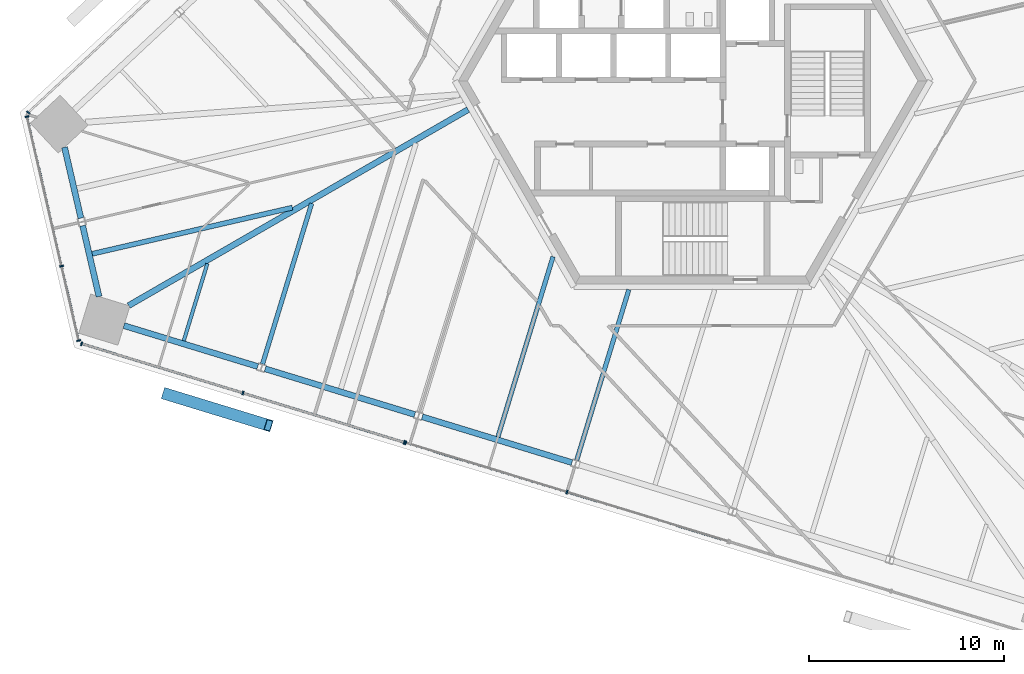
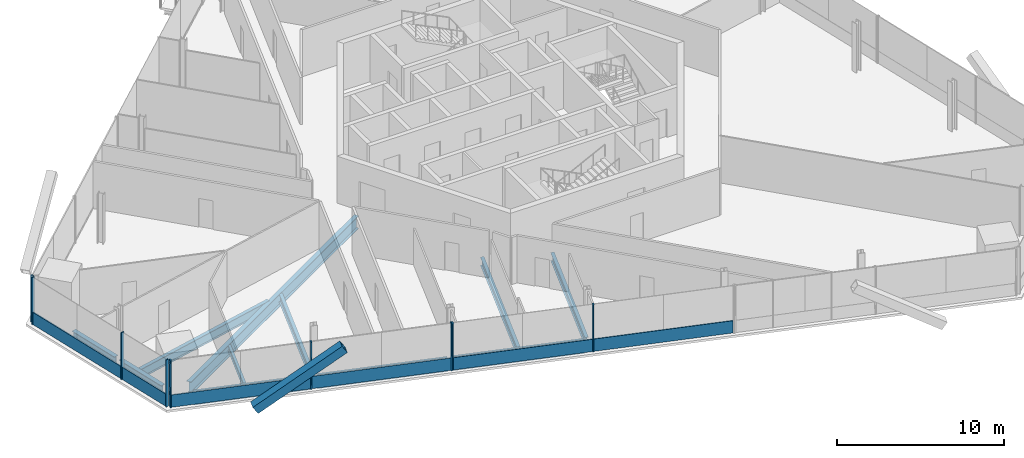
# One storey, part 4 of 18: 16 members, 11 beams, 4 elements without a shape of their own.
"""IFC4 building model written with IfcOpenShell, lengths in metres."""

import ifcopenshell
import ifcopenshell.guid

model = None  # the IFC model being written
_history = None  # IfcOwnerHistory: only IFC2X3 demands one
_inside = {}  # id of a spatial element -> (the spatial element, [elements in it])
_under = {}  # id of a project, library or spatial element -> (it, [spatial elements below it])
_declared = {}  # id of a project -> (the project, [libraries it declares])
_typed = {}  # id of a type object -> (the type object, [elements of that type])
_made_of = {}  # id of a material, layer set ... -> (it, [elements and type objects made of it])


def new_model(schema):
    """Start an empty IFC model of exactly this schema.

    Asked for "IFC4X3", IfcOpenShell would pick the latest addendum, in which some entities
    have other attributes; the version numbers below select the first issue.
    IFC2X3 requires an IfcOwnerHistory on every rooted entity: one is made here for all.
    """
    global model, _history
    if schema == "IFC4X3":
        model = ifcopenshell.file(schema_version=(4, 3, 0, 0))
    else:
        model = ifcopenshell.file(schema=schema)
    _inside.clear()
    _under.clear()
    _declared.clear()
    _typed.clear()
    _made_of.clear()
    _history = None
    if model.schema == "IFC2X3":
        org = make("IfcOrganization", Name="unknown")
        user = make(
            "IfcPersonAndOrganization",
            ThePerson=make("IfcPerson", FamilyName="unknown"),
            TheOrganization=org,
        )
        app = make(
            "IfcApplication",
            ApplicationDeveloper=org,
            Version="unknown",
            ApplicationFullName="unknown",
            ApplicationIdentifier="unknown",
        )
        _history = make(
            "IfcOwnerHistory",
            OwningUser=user,
            OwningApplication=app,
            ChangeAction="ADDED",
            CreationDate=0,
        )
    return model


def make(cls, **values):
    """One entity of the class cls with the attributes given. An attribute that is None is left unset."""
    return model.create_entity(
        cls, **{name: value for name, value in values.items() if value is not None}
    )


def rooted(cls, **values):
    """An entity with a GlobalId (a new one), such as an element, a storey or a relation."""
    return make(cls, GlobalId=ifcopenshell.guid.new(), OwnerHistory=_history, **values)


def si_unit(unit_type, name, prefix=None):
    """IfcSIUnit, for example si_unit("LENGTHUNIT", "METRE", prefix="MILLI")."""
    return make("IfcSIUnit", UnitType=unit_type, Prefix=prefix, Name=name)


def assignment(units):
    """IfcUnitAssignment: the units of a project."""
    return None if units is None else make("IfcUnitAssignment", Units=units)


def point(xyz):
    """IfcCartesianPoint."""
    return None if xyz is None else make("IfcCartesianPoint", Coordinates=xyz)


def direction(xyz):
    """IfcDirection."""
    return None if xyz is None else make("IfcDirection", DirectionRatios=xyz)


def frame(location, z_axis=None, x_axis=None):
    """IfcAxis2Placement3D, a coordinate frame: its origin and axes. An axis left out is left unset."""
    return make(
        "IfcAxis2Placement3D",
        Location=point(location),
        Axis=direction(z_axis),
        RefDirection=direction(x_axis),
    )


def frame_2d(location, x_axis=None):
    """IfcAxis2Placement2D, a coordinate frame in the plane: its origin and x axis."""
    return make(
        "IfcAxis2Placement2D", Location=point(location), RefDirection=direction(x_axis)
    )


def origin():
    """The frame at (0, 0, 0) with its axes left unset."""
    return frame((0.0, 0.0, 0.0))


def origin_2d():
    """The frame at (0, 0) in the plane with its x axis left unset."""
    return frame_2d((0.0, 0.0))


def place(relative_to, where):
    """IfcLocalPlacement: puts the frame where relative to a parent placement (None: the world)."""
    return make(
        "IfcLocalPlacement", PlacementRelTo=relative_to, RelativePlacement=where
    )


def context(
    kind, dimensions, precision=None, world=None, true_north=None, identifier=None
):
    """IfcGeometricRepresentationContext, for example the 3D "Model" context."""
    return make(
        "IfcGeometricRepresentationContext",
        ContextIdentifier=identifier,
        ContextType=kind,
        CoordinateSpaceDimension=dimensions,
        Precision=precision,
        WorldCoordinateSystem=world,
        TrueNorth=true_north,
    )


def subcontext(parent, identifier, kind, view, scale=None):
    """IfcGeometricRepresentationSubContext, for example "Body" below "Model"."""
    return make(
        "IfcGeometricRepresentationSubContext",
        ContextIdentifier=identifier,
        ContextType=kind,
        ParentContext=parent,
        TargetScale=scale,
        TargetView=view,
    )


def project(units=None, contexts=None):
    """IfcProject with its units and contexts."""
    return rooted(
        "IfcProject",
        Name="project",
        RepresentationContexts=contexts,
        UnitsInContext=assignment(units),
    )


def spatial(cls, under=None, at=None, **own):
    """A site, building, storey or space (cls), placed at a placement, below another one or the project."""
    s = rooted(cls, ObjectPlacement=at, **own)
    if under is not None:
        _under.setdefault(under.id(), (under, []))[1].append(s)
    return s


def profile(cls, at=None, kind="AREA", **sizes):
    """A parametric profile (cls). Its sizes go by their IFC names, for example OverallWidth=200.0."""
    return make(cls, ProfileType=kind, Position=at, **sizes)


def rectangle(**sizes):
    """IfcRectangleProfileDef."""
    return profile("IfcRectangleProfileDef", **sizes)


def hollow_rectangle(**sizes):
    """IfcRectangleHollowProfileDef."""
    return profile("IfcRectangleHollowProfileDef", **sizes)


def i_section(**sizes):
    """IfcIShapeProfileDef."""
    return profile("IfcIShapeProfileDef", **sizes)


def extrude(swept, where, along, depth):
    """IfcExtrudedAreaSolid: the profile swept, set in the frame where, extruded along a direction by depth."""
    return make(
        "IfcExtrudedAreaSolid",
        SweptArea=swept,
        Position=where,
        ExtrudedDirection=direction(along),
        Depth=depth,
    )


def shape(context_of_items, identifier, shape_type, items):
    """IfcShapeRepresentation: the items that make up one representation, for example the "Body"."""
    return make(
        "IfcShapeRepresentation",
        ContextOfItems=context_of_items,
        RepresentationIdentifier=identifier,
        RepresentationType=shape_type,
        Items=items,
    )


def source(mapping_origin, context_of_items, identifier, shape_type, items):
    """IfcRepresentationMap: a shape defined once, which mapped items show again and again."""
    return make(
        "IfcRepresentationMap",
        MappingOrigin=mapping_origin,
        MappedRepresentation=shape(context_of_items, identifier, shape_type, items),
    )


def transform(
    local_origin,
    x_axis=None,
    y_axis=None,
    z_axis=None,
    scale=None,
    scale2=None,
    scale3=None,
    uniform=True,
):
    """IfcCartesianTransformationOperator3D, or its non-uniform kind. x_axis, y_axis, z_axis: its Axis1, 2, 3."""
    if uniform:
        return make(
            "IfcCartesianTransformationOperator3D",
            Axis1=direction(x_axis),
            Axis2=direction(y_axis),
            LocalOrigin=point(local_origin),
            Scale=scale,
            Axis3=direction(z_axis),
        )
    return make(
        "IfcCartesianTransformationOperator3DnonUniform",
        Axis1=direction(x_axis),
        Axis2=direction(y_axis),
        LocalOrigin=point(local_origin),
        Scale=scale,
        Axis3=direction(z_axis),
        Scale2=scale2,
        Scale3=scale3,
    )


def mapped(mapping_source, mapping_target):
    """IfcMappedItem: shows the shape of a source again, moved by a transform."""
    return make(
        "IfcMappedItem", MappingSource=mapping_source, MappingTarget=mapping_target
    )


def material(Name=None, Category=None):
    """IfcMaterial."""
    return make("IfcMaterial", Name=Name, Category=Category)


def material_profile(
    of_material, cross_section, Name=None, Category=None, Priority=None
):
    """IfcMaterialProfile: a cross section and its material."""
    return make(
        "IfcMaterialProfile",
        Name=Name,
        Material=of_material,
        Profile=cross_section,
        Priority=Priority,
        Category=Category,
    )


def profile_set(profiles, Name=None, composite=None):
    """IfcMaterialProfileSet."""
    return make(
        "IfcMaterialProfileSet",
        Name=Name,
        MaterialProfiles=profiles,
        CompositeProfile=composite,
    )


def made_of(thing, what):
    """Note that an element or type object is made of a material, layer set ...; save() writes the relation."""
    if what is not None:
        _made_of.setdefault(what.id(), (what, []))[1].append(thing)
    return thing


def type_object(cls, material=None, **own):
    """A type object (cls), such as IfcWallType, which elements share."""
    return made_of(rooted(cls, **own), material)


def element(
    cls,
    number,
    at=None,
    inside=None,
    cuts=None,
    type_object=None,
    material=None,
    context=None,
    identifier="Body",
    shape_type=None,
    held_by="IfcProductDefinitionShape",
    body=None,
    shapes=None,
    **own,
):
    """One element of the class cls, such as IfcWall. Its Tag is "e" and its number.

    at: its placement. inside: the storey or other place that contains it. cuts: it is an
    opening in that element (IfcRelVoidsElement). A single representation is given by context,
    identifier, shape_type and body (its items); several are given by shapes. held_by: the class
    of the entity that holds the representations. save() writes the other relations.
    """
    e = rooted(cls, Tag="e%d" % number, ObjectPlacement=at, **own)
    if body is not None:
        shapes = [shape(context, identifier, shape_type, body)]
    if shapes is not None:
        e.Representation = make(held_by, Representations=shapes)
    if inside is not None:
        _inside.setdefault(inside.id(), (inside, []))[1].append(e)
    if cuts is not None:
        rooted(
            "IfcRelVoidsElement", RelatingBuildingElement=cuts, RelatedOpeningElement=e
        )
    if type_object is not None:
        _typed.setdefault(type_object.id(), (type_object, []))[1].append(e)
    return made_of(e, material)


def aggregate(whole, parts):
    """IfcRelAggregates: a whole, such as a stair, and the parts it consists of."""
    return rooted("IfcRelAggregates", RelatingObject=whole, RelatedObjects=parts)


def save(model, path):
    """Write the relations noted so far, then the file.

    IfcRelAggregates (storeys below a building ...), IfcRelContainedInSpatialStructure (elements
    in a storey), IfcRelDefinesByType, IfcRelAssociatesMaterial and IfcRelDeclares: one each for
    every whole, place, type object, material and project.
    """
    for whole, parts in _under.values():
        aggregate(whole, parts)
    for where, things in _inside.values():
        rooted(
            "IfcRelContainedInSpatialStructure",
            RelatedElements=things,
            RelatingStructure=where,
        )
    for kind, things in _typed.values():
        rooted("IfcRelDefinesByType", RelatedObjects=things, RelatingType=kind)
    for what, things in _made_of.values():
        rooted("IfcRelAssociatesMaterial", RelatedObjects=things, RelatingMaterial=what)
    for by, libraries in _declared.values():
        rooted("IfcRelDeclares", RelatingContext=by, RelatedDefinitions=libraries)
    model.write(path)


model = new_model("IFC4")

# Units and contexts
model_context = context("Model", 3, precision=1e-05, world=origin(), true_north=direction((0.0, 1.0)))
body_context = subcontext(model_context, "Body", "Model", "MODEL_VIEW")
ifc_project = project(units=[si_unit("LENGTHUNIT", "METRE"), si_unit("AREAUNIT", "SQUARE_METRE"), si_unit("VOLUMEUNIT", "CUBIC_METRE"), si_unit("PLANEANGLEUNIT", "RADIAN"), si_unit("MASSUNIT", "GRAM", prefix="KILO")], contexts=[model_context])

# Site, building, storey
site_placement = place(None, origin())
site = spatial("IfcSite", under=ifc_project, at=site_placement, CompositionType="ELEMENT")
building_placement = place(site_placement, origin())
building = spatial("IfcBuilding", under=site, at=building_placement, Name="Triune Harvest Tower", CompositionType="ELEMENT")
storey_placement = place(building_placement, frame((0.0, 0.0, 101.89990234375)))
storey = spatial("IfcBuildingStorey", under=building, at=storey_placement, Name="L25", CompositionType="ELEMENT", Elevation=101.89990234375)

# Beams
ifc_material_1 = material(Name="Steel ASTM A992 Gr 50", Category="steel")
ifc_material_profile_1 = material_profile(ifc_material_1, i_section(OverallWidth=0.3046875, OverallDepth=0.914306640625, WebThickness=0.0166015625, FlangeThickness=0.02587890625, at=origin_2d()), Name="W36x160")
ifc_profile_set_1 = profile_set([ifc_material_profile_1], Name="Steel ASTM A992 Gr 50")
beam_type_1 = type_object("IfcBeamType", Name="SB-1 Spandrel beam W36x160", PredefinedType="SPANDREL", material=ifc_profile_set_1)
shared_shape_1 = source(origin(), body_context, "Body", "SweptSolid", [
    extrude(i_section(OverallWidth=0.3046875, OverallDepth=0.914306640625, WebThickness=0.0166015625, FlangeThickness=0.02587890625, at=origin_2d()), origin(), (0.0, 0.0, 1.0), 8.018310546875),
])
beam_1_placement = place(storey_placement, frame((-21.8994140625, -14.747314453125, -0.6171875), z_axis=(0.956308069579, -0.292360866152, 0.0), x_axis=(0.292360866152, 0.956308069579, 0.0)))
element("IfcBeam", 1, at=beam_1_placement, inside=storey, type_object=beam_type_1, Name="beam/L25/SB18", PredefinedType="SPANDREL", context=body_context, shape_type="MappedRepresentation", body=[
    mapped(shared_shape_1, transform((0.0, 0.0, 0.0), scale=1.0)),
])
shared_shape_2 = source(origin(), body_context, "Body", "SweptSolid", [
    extrude(i_section(OverallWidth=0.3046875, OverallDepth=0.914306640625, WebThickness=0.0166015625, FlangeThickness=0.02587890625, at=origin_2d()), origin(), (0.0, 0.0, 1.0), 8.01806640625),
])
beam_2_placement = place(storey_placement, frame((-13.8525390625, -17.207275390625, -0.6171875), z_axis=(0.956305466934, -0.292369379231, 0.0), x_axis=(0.292369379231, 0.956305466934, 0.0)))
element("IfcBeam", 2, at=beam_2_placement, inside=storey, type_object=beam_type_1, Name="beam/L25/SB19", PredefinedType="SPANDREL", context=body_context, shape_type="MappedRepresentation", body=[
    mapped(shared_shape_2, transform((0.0, 0.0, 0.0), scale=1.0)),
])
shared_shape_3 = source(origin(), body_context, "Body", "SweptSolid", [
    extrude(i_section(OverallWidth=0.3046875, OverallDepth=0.914306640625, WebThickness=0.0166015625, FlangeThickness=0.02587890625, at=origin_2d()), origin(), (0.0, 0.0, 1.0), 7.16650390625),
])
beam_3_placement = place(storey_placement, frame((-29.131591796875, -12.5361328125, -0.6171875), z_axis=(0.956306336732, -0.292366534211, 0.0), x_axis=(0.292366534211, 0.956306336732, 0.0)))
element("IfcBeam", 3, at=beam_3_placement, inside=storey, type_object=beam_type_1, Name="beam/L25/SB17", PredefinedType="SPANDREL", context=body_context, shape_type="MappedRepresentation", body=[
    mapped(shared_shape_3, transform((0.0, 0.0, 0.0), scale=1.0)),
])
shared_shape_4 = source(origin(), body_context, "Body", "SweptSolid", [
    extrude(i_section(OverallWidth=0.3046875, OverallDepth=0.914306640625, WebThickness=0.0166015625, FlangeThickness=0.02587890625, at=origin_2d()), origin(), (0.0, 0.0, 1.0), 3.72607421875),
])
for number, where, z_axis, x_axis, name in (
    (4, (-32.173828125, -3.400390625, -0.6171875), (0.224936070713, -0.974373523908, 0.0), (0.974373523908, 0.224936070713, 0.0), "beam/L25/SB15"),
    (5, (-31.24658203125, -7.4169921875, -0.6171875), (0.224998275907, -0.974359161623, 0.0), (0.974359161623, 0.224998275907, 0.0), "beam/L25/SB16"),
):
    element("IfcBeam", number, at=place(storey_placement, frame(where, z_axis=z_axis, x_axis=x_axis)), inside=storey, type_object=beam_type_1, Name=name, PredefinedType="SPANDREL", context=body_context, shape_type="MappedRepresentation", body=[
        mapped(shared_shape_4, transform((0.0, 0.0, 0.0), scale=1.0)),
    ])
ifc_material_2 = material(Name="Steel ASTM A992 Gr 50", Category="steel")
ifc_material_profile_2 = material_profile(ifc_material_2, i_section(OverallWidth=0.307373046875, OverallDepth=0.922119140625, WebThickness=0.018310546875, FlangeThickness=0.030029296875, at=origin_2d()), Name="W36x182")
ifc_profile_set_2 = profile_set([ifc_material_profile_2], Name="Steel ASTM A992 Gr 50")
beam_type_2 = type_object("IfcBeamType", Name="HG-2 Hip girder W36x182", PredefinedType="BEAM", material=ifc_profile_set_2)
shared_shape_5 = source(origin(), body_context, "Body", "SweptSolid", [
    extrude(i_section(OverallWidth=0.307373046875, OverallDepth=0.922119140625, WebThickness=0.018310546875, FlangeThickness=0.030029296875, at=origin_2d()), origin(), (0.0, 0.0, 1.0), 20.080078125),
])
beam_4_placement = place(storey_placement, frame((-28.892333984375, -11.51123046875, -0.620849609375), z_axis=(0.866025837197, 0.499999249307, 0.0), x_axis=(-0.499999249307, 0.866025837197, 0.0)))
element("IfcBeam", 6, at=beam_4_placement, inside=storey, type_object=beam_type_2, Name="beam/L25/HG6", PredefinedType="BEAM", context=body_context, shape_type="MappedRepresentation", body=[
    mapped(shared_shape_5, transform((0.0, 0.0, 0.0), scale=1.0)),
])
ifc_material_3 = material(Name="Steel ASTM A992 Gr 50", Category="steel")
ifc_material_profile_3 = material_profile(ifc_material_3, i_section(OverallWidth=0.22900390625, OverallDepth=0.612060546875, WebThickness=0.011962890625, FlangeThickness=0.01953125, at=origin_2d()), Name="W24x84")
ifc_profile_set_3 = profile_set([ifc_material_profile_3], Name="Steel ASTM A992 Gr 50")
beam_type_3 = type_object("IfcBeamType", Name="JT-3 Floor joist W24x84", PredefinedType="JOIST", material=ifc_profile_set_3)
shared_shape_6 = source(origin(), body_context, "Body", "SweptSolid", [
    extrude(i_section(OverallWidth=0.22900390625, OverallDepth=0.612060546875, WebThickness=0.011962890625, FlangeThickness=0.01953125, at=origin_2d()), origin(), (0.0, 0.0, 1.0), 9.129150390625),
])
beam_5_placement = place(storey_placement, frame((-5.939453125, -19.42724609375, -0.466064453125), z_axis=(0.292356457167, 0.956309417476, 0.0), x_axis=(-0.956309417476, 0.292356457167, 0.0)))
element("IfcBeam", 7, at=beam_5_placement, inside=storey, type_object=beam_type_3, Name="beam/L25/JT32", PredefinedType="JOIST", context=body_context, shape_type="MappedRepresentation", body=[
    mapped(shared_shape_6, transform((0.0, 0.0, 0.0), scale=1.0)),
])
ifc_material_4 = material(Name="Steel ASTM A992 Gr 50", Category="steel")
ifc_material_profile_4 = material_profile(ifc_material_4, i_section(OverallWidth=0.180908203125, OverallDepth=0.41650390625, WebThickness=0.010986328125, FlangeThickness=0.01806640625, at=origin_2d()), Name="W16x57")
ifc_profile_set_4 = profile_set([ifc_material_profile_4], Name="Steel ASTM A992 Gr 50")
beam_type_4 = type_object("IfcBeamType", Name="JT-1 Floor joist W16x57", PredefinedType="JOIST", material=ifc_profile_set_4)
shared_shape_7 = source(origin(), body_context, "Body", "SweptSolid", [
    extrude(i_section(OverallWidth=0.180908203125, OverallDepth=0.41650390625, WebThickness=0.010986328125, FlangeThickness=0.01806640625, at=origin_2d()), origin(), (0.0, 0.0, 1.0), 4.134033203125),
])
beam_6_placement = place(storey_placement, frame((-26.067626953125, -13.3134765625, -0.3681640625), z_axis=(0.29238807321, 0.956299751461, 0.0), x_axis=(-0.956299751461, 0.29238807321, 0.0)))
element("IfcBeam", 8, at=beam_6_placement, inside=storey, type_object=beam_type_4, Name="beam/L25/JT27", PredefinedType="JOIST", context=body_context, shape_type="MappedRepresentation", body=[
    mapped(shared_shape_7, transform((0.0, 0.0, 0.0), scale=1.0)),
])
shared_shape_8 = source(origin(), body_context, "Body", "SweptSolid", [
    extrude(i_section(OverallWidth=0.22900390625, OverallDepth=0.612060546875, WebThickness=0.011962890625, FlangeThickness=0.01953125, at=origin_2d()), origin(), (0.0, 0.0, 1.0), 8.607666015625),
])
beam_7_placement = place(storey_placement, frame((-22.033203125, -14.507080078125, -0.466064453125), z_axis=(0.29237129862, 0.956304880121, 0.0), x_axis=(-0.956304880121, 0.29237129862, 0.0)))
element("IfcBeam", 9, at=beam_7_placement, inside=storey, type_object=beam_type_3, Name="beam/L25/JT28", PredefinedType="JOIST", context=body_context, shape_type="MappedRepresentation", body=[
    mapped(shared_shape_8, transform((0.0, 0.0, 0.0), scale=1.0)),
])
shared_shape_9 = source(origin(), body_context, "Body", "SweptSolid", [
    extrude(i_section(OverallWidth=0.22900390625, OverallDepth=0.612060546875, WebThickness=0.011962890625, FlangeThickness=0.01953125, at=origin_2d()), origin(), (0.0, 0.0, 1.0), 9.64990234375),
])
beam_8_placement = place(storey_placement, frame((-9.97412109375, -18.233642578125, -0.466064453125), z_axis=(0.292387575984, 0.956299903488, 0.0), x_axis=(-0.956299903488, 0.292387575984, 0.0)))
element("IfcBeam", 10, at=beam_8_placement, inside=storey, type_object=beam_type_3, Name="beam/L25/JT31", PredefinedType="JOIST", context=body_context, shape_type="MappedRepresentation", body=[
    mapped(shared_shape_9, transform((0.0, 0.0, 0.0), scale=1.0)),
])
ifc_material_5 = material(Name="Steel ASTM A992 Gr 50", Category="steel")
ifc_material_profile_5 = material_profile(ifc_material_5, i_section(OverallWidth=0.253662109375, OverallDepth=0.683349609375, WebThickness=0.012451171875, FlangeThickness=0.01904296875, at=origin_2d()), Name="W27x94")
ifc_profile_set_5 = profile_set([ifc_material_profile_5], Name="Steel ASTM A992 Gr 50")
beam_type_5 = type_object("IfcBeamType", Name="JT-4 Floor joist W27x94", PredefinedType="JOIST", material=ifc_profile_set_5)
shared_shape_10 = source(origin(), body_context, "Body", "SweptSolid", [
    extrude(i_section(OverallWidth=0.253662109375, OverallDepth=0.683349609375, WebThickness=0.012451171875, FlangeThickness=0.01904296875, at=origin_2d()), origin(), (0.0, 0.0, 1.0), 10.52294921875),
])
beam_9_placement = place(storey_placement, frame((-30.75732421875, -8.858154296875, -0.50146484375), z_axis=(0.974368902387, 0.224956089186, 0.0), x_axis=(-0.224956089186, 0.974368902387, 0.0)))
element("IfcBeam", 11, at=beam_9_placement, inside=storey, type_object=beam_type_5, Name="beam/L25/JT26", PredefinedType="JOIST", context=body_context, shape_type="MappedRepresentation", body=[
    mapped(shared_shape_10, transform((0.0, 0.0, 0.0), scale=1.0)),
])

# Member
ifc_material_6 = material(Name="Steel ASTM A572 Gr 50", Category="steel")
ifc_material_profile_6 = material_profile(ifc_material_6, hollow_rectangle(XDim=0.60009765625, YDim=0.60009765625, WallThickness=0.0400390625, at=origin_2d()), Name="Box 600x600x40")
ifc_profile_set_6 = profile_set([ifc_material_profile_6], Name="Steel ASTM A572 Gr 50")
member_type_1 = type_object("IfcMemberType", Name="BR-2 Brace Box 600x600x40", PredefinedType="BRACE", material=ifc_profile_set_6)
shared_shape_11 = source(origin(), body_context, "Body", "SweptSolid", [
    extrude(hollow_rectangle(XDim=0.60009765625, YDim=0.60009765625, WallThickness=0.0400390625, at=origin_2d()), origin(), (0.0, 0.0, 1.0), 6.56640625),
])
member_1_placement = place(storey_placement, frame((-26.97705078125, -16.03759765625, 0.0), z_axis=(0.799754510261, -0.24453674635, 0.548264993413), x_axis=(0.292401508485, 0.956295643531, 0.0)))
element("IfcMember", 12, at=member_1_placement, inside=storey, type_object=member_type_1, Name="brace/B3-F5/d1/2", PredefinedType="BRACE", context=body_context, shape_type="MappedRepresentation", body=[
    mapped(shared_shape_11, transform((0.0, 0.0, 0.0), scale=1.0)),
])

# Curtain wall, members
ifc_material_7 = material(Name="Aluminium bronze anodised", Category="aluminium")
curtain_wall_type_1 = type_object("IfcCurtainWallType", Name="CW-1 Tower stick curtain wall", PredefinedType="NOTDEFINED", material=ifc_material_7)
curtain_wall_1_placement = place(storey_placement, origin())
curtain_wall_1 = element("IfcCurtainWall", 13, at=curtain_wall_1_placement, inside=storey, type_object=curtain_wall_type_1, Name="CW-1 B3-F4 L25 run 1")
ifc_material_8 = material(Name="Aluminium bronze anodised", Category="aluminium")
ifc_material_profile_7 = material_profile(ifc_material_8, rectangle(XDim=0.199951171875, YDim=0.074951171875, at=origin_2d()), Name="MU-1 mullion 75 x 200")
ifc_profile_set_7 = profile_set([ifc_material_profile_7], Name="Aluminium bronze anodised")
member_type_2 = type_object("IfcMemberType", Name="MU-1 mullion 75 x 200", PredefinedType="MULLION", material=ifc_profile_set_7)
shared_shape_12 = source(origin(), body_context, "Body", "SweptSolid", [
    extrude(rectangle(XDim=0.199951171875, YDim=0.074951171875, at=origin_2d()), origin(), (0.0, 0.0, 1.0), 3.440185546875),
])
member_2_placement = place(storey_placement, frame((-34.0947265625, -1.83056640625, 0.0), z_axis=(0.0, 0.0, 1.0), x_axis=(0.974371012181, 0.224946950683, 0.0)))
member_2 = element("IfcMember", 14, at=member_2_placement, type_object=member_type_2, Name="CW-1 mullion B3-F4 1.1", PredefinedType="MULLION", context=body_context, shape_type="MappedRepresentation", body=[
    mapped(shared_shape_12, transform((0.0, 0.0, 0.0), scale=1.0)),
])
member_3_placement = place(storey_placement, frame((-32.32666015625, -9.489501953125, 0.0), z_axis=(0.0, 0.0, 1.0), x_axis=(0.974371012181, 0.224946950683, 0.0)))
member_3 = element("IfcMember", 15, at=member_3_placement, type_object=member_type_2, Name="CW-1 mullion B3-F4 1.3", PredefinedType="MULLION", context=body_context, shape_type="MappedRepresentation", body=[
    mapped(shared_shape_12, transform((0.0, 0.0, 0.0), scale=1.0)),
])
member_4_placement = place(storey_placement, frame((-31.44677734375, -13.30078125, 0.0), z_axis=(0.0, 0.0, 1.0), x_axis=(0.974371012181, 0.224946950683, 0.0)))
member_4 = element("IfcMember", 16, at=member_4_placement, type_object=member_type_2, Name="CW-1 mullion B3-F4 1.4", PredefinedType="MULLION", context=body_context, shape_type="MappedRepresentation", body=[
    mapped(shared_shape_12, transform((0.0, 0.0, 0.0), scale=1.0)),
])

ifc_material_9 = material(Name="Aluminium bronze anodised", Category="aluminium")
curtain_wall_type_2 = type_object("IfcCurtainWallType", Name="CW-7 Tower stick curtain wall with insulated spandrel infill", PredefinedType="NOTDEFINED", material=ifc_material_9)
curtain_wall_2_placement = place(storey_placement, origin())
curtain_wall_2 = element("IfcCurtainWall", 17, at=curtain_wall_2_placement, inside=storey, type_object=curtain_wall_type_2, Name="CW-7 B3-F5 L25 run 1")
member_5_placement = place(storey_placement, frame((-31.296142578125, -13.462158203125, 0.0), z_axis=(0.0, 0.0, 1.0), x_axis=(0.292372474863, 0.956304520507, 0.0)))
member_5 = element("IfcMember", 18, at=member_5_placement, type_object=member_type_2, Name="CW-7 mullion B3-F5 1.1", PredefinedType="MULLION", context=body_context, shape_type="MappedRepresentation", body=[
    mapped(shared_shape_12, transform((0.0, 0.0, 0.0), scale=1.0)),
])
member_6_placement = place(storey_placement, frame((-23.034423828125, -15.988037109375, 0.0), z_axis=(0.0, 0.0, 1.0), x_axis=(0.292372474863, 0.956304520507, 0.0)))
member_6 = element("IfcMember", 19, at=member_6_placement, type_object=member_type_2, Name="CW-7 mullion B3-F5 1.3", PredefinedType="MULLION", context=body_context, shape_type="MappedRepresentation", body=[
    mapped(shared_shape_12, transform((0.0, 0.0, 0.0), scale=1.0)),
])
member_7_placement = place(storey_placement, frame((-14.772705078125, -18.513916015625, 0.0), z_axis=(0.0, 0.0, 1.0), x_axis=(0.292372474863, 0.956304520507, 0.0)))
member_7 = element("IfcMember", 20, at=member_7_placement, type_object=member_type_2, Name="CW-7 mullion B3-F5 1.5", PredefinedType="MULLION", context=body_context, shape_type="MappedRepresentation", body=[
    mapped(shared_shape_12, transform((0.0, 0.0, 0.0), scale=1.0)),
])

curtain_wall_3_placement = place(storey_placement, origin())
curtain_wall_3 = element("IfcCurtainWall", 21, at=curtain_wall_3_placement, inside=storey, type_object=curtain_wall_type_1, Name="CW-1 B3-F5 L25 run 1001")
member_8_placement = place(storey_placement, frame((-14.700927734375, -18.535888671875, 0.0), z_axis=(0.0, 0.0, 1.0), x_axis=(0.292375328782, 0.956303647969, 0.0)))
member_8 = element("IfcMember", 22, at=member_8_placement, type_object=member_type_2, Name="CW-1 mullion B3-F5 1001.1", PredefinedType="MULLION", context=body_context, shape_type="MappedRepresentation", body=[
    mapped(shared_shape_12, transform((0.0, 0.0, 0.0), scale=1.0)),
])
member_9_placement = place(storey_placement, frame((-6.439208984375, -21.061767578125, 0.0), z_axis=(0.0, 0.0, 1.0), x_axis=(0.292375328782, 0.956303647969, 0.0)))
member_9 = element("IfcMember", 23, at=member_9_placement, type_object=member_type_2, Name="CW-1 mullion B3-F5 1001.3", PredefinedType="MULLION", context=body_context, shape_type="MappedRepresentation", body=[
    mapped(shared_shape_12, transform((0.0, 0.0, 0.0), scale=1.0)),
])

# Curtain wall, member
ifc_material_10 = material(Name="Aluminium bronze anodised", Category="aluminium")
curtain_wall_type_3 = type_object("IfcCurtainWallType", Name="CW-10 Balcony window wall with insulated spandrel infill", PredefinedType="NOTDEFINED", material=ifc_material_10)
curtain_wall_4_placement = place(storey_placement, origin())
curtain_wall_4 = element("IfcCurtainWall", 24, at=curtain_wall_4_placement, inside=storey, type_object=curtain_wall_type_3, Name="CW-10 B3-F3 L25 run 1002")
ifc_material_11 = material(Name="Aluminium bronze anodised", Category="aluminium")
ifc_material_profile_8 = material_profile(ifc_material_11, rectangle(XDim=0.199951171875, YDim=0.074951171875, at=origin_2d()), Name="MU-6 mullion 75 x 200")
ifc_profile_set_8 = profile_set([ifc_material_profile_8], Name="Aluminium bronze anodised")
member_type_3 = type_object("IfcMemberType", Name="MU-6 mullion 75 x 200", PredefinedType="MULLION", material=ifc_profile_set_8)
shared_shape_13 = source(origin(), body_context, "Body", "SweptSolid", [
    extrude(rectangle(XDim=0.199951171875, YDim=0.074951171875, at=origin_2d()), origin(), (0.0, 0.0, 1.0), 3.440185546875),
])
member_10_placement = place(storey_placement, frame((-34.0302734375, -1.619384765625, 0.0), z_axis=(0.0, 0.0, 1.0), x_axis=(0.681997361186, -0.731354633085, 0.0)))
member_10 = element("IfcMember", 25, at=member_10_placement, type_object=member_type_3, Name="CW-10 mullion B3-F3 1002.5", PredefinedType="MULLION", context=body_context, shape_type="MappedRepresentation", body=[
    mapped(shared_shape_13, transform((0.0, 0.0, 0.0), scale=1.0)),
])
aggregate(curtain_wall_4, [member_10])

# Member
ifc_material_12 = material(Name="Aluminium bronze anodised", Category="aluminium")
ifc_material_profile_9 = material_profile(ifc_material_12, rectangle(XDim=0.090087890625, YDim=0.89990234375, at=origin_2d()), Name="TR-1 transom 90 x 900")
ifc_profile_set_9 = profile_set([ifc_material_profile_9], Name="Aluminium bronze anodised")
member_type_4 = type_object("IfcMemberType", Name="TR-1 transom 90 x 900", PredefinedType="USERDEFINED", material=ifc_profile_set_9)
shared_shape_14 = source(origin(), body_context, "Body", "SweptSolid", [
    extrude(rectangle(XDim=0.090087890625, YDim=0.89990234375, at=origin_2d()), origin(), (0.0, 0.0, 1.0), 3.83642578125),
])
member_11_placement = place(storey_placement, frame((-32.318115234375, -9.526123046875, 0.4501953125), z_axis=(0.224901336827, -0.974381541642, 0.0), x_axis=(0.974381541642, 0.224901336827, 0.0)))
member_11 = element("IfcMember", 26, at=member_11_placement, type_object=member_type_4, Name="CW-1 transom B3-F4 1.2", ObjectType="TRANSOM", PredefinedType="USERDEFINED", context=body_context, shape_type="MappedRepresentation", body=[
    mapped(shared_shape_14, transform((0.0, 0.0, 0.0), scale=1.0)),
])

shared_shape_15 = source(origin(), body_context, "Body", "SweptSolid", [
    extrude(rectangle(XDim=0.090087890625, YDim=0.89990234375, at=origin_2d()), origin(), (0.0, 0.0, 1.0), 7.785400390625),
])
member_12_placement = place(storey_placement, frame((-34.08642578125, -1.8671875, 0.4501953125), z_axis=(0.22493508372, -0.974373751756, 0.0), x_axis=(0.974373751756, 0.22493508372, 0.0)))
member_12 = element("IfcMember", 27, at=member_12_placement, type_object=member_type_4, Name="CW-1 transom B3-F4 1.1", ObjectType="TRANSOM", PredefinedType="USERDEFINED", context=body_context, shape_type="MappedRepresentation", body=[
    mapped(shared_shape_15, transform((0.0, 0.0, 0.0), scale=1.0)),
])

aggregate(curtain_wall_1, [member_2, member_3, member_4, member_12, member_11])

shared_shape_16 = source(origin(), body_context, "Body", "SweptSolid", [
    extrude(rectangle(XDim=0.090087890625, YDim=0.89990234375, at=origin_2d()), origin(), (0.0, 0.0, 1.0), 8.564208984375),
])
member_13_placement = place(storey_placement, frame((-31.26025390625, -13.47314453125, 0.4501953125), z_axis=(0.956297115468, -0.29239669449, 0.0), x_axis=(0.29239669449, 0.956297115468, 0.0)))
member_13 = element("IfcMember", 28, at=member_13_placement, type_object=member_type_4, Name="CW-7 transom B3-F5 1.1", ObjectType="TRANSOM", PredefinedType="USERDEFINED", context=body_context, shape_type="MappedRepresentation", body=[
    mapped(shared_shape_16, transform((0.0, 0.0, 0.0), scale=1.0)),
])

member_14_placement = place(storey_placement, frame((-22.99853515625, -15.9990234375, 0.4501953125), z_axis=(0.956297115468, -0.29239669449, 0.0), x_axis=(0.29239669449, 0.956297115468, 0.0)))
member_14 = element("IfcMember", 29, at=member_14_placement, type_object=member_type_4, Name="CW-7 transom B3-F5 1.2", ObjectType="TRANSOM", PredefinedType="USERDEFINED", context=body_context, shape_type="MappedRepresentation", body=[
    mapped(shared_shape_16, transform((0.0, 0.0, 0.0), scale=1.0)),
])

aggregate(curtain_wall_2, [member_5, member_6, member_7, member_13, member_14])

member_15_placement = place(storey_placement, frame((-14.6650390625, -18.546875, 0.4501953125), z_axis=(0.956305086263, -0.292370624358, 0.0), x_axis=(0.292370624358, 0.956305086263, 0.0)))
member_15 = element("IfcMember", 30, at=member_15_placement, type_object=member_type_4, Name="CW-1 transom B3-F5 1001.1", ObjectType="TRANSOM", PredefinedType="USERDEFINED", context=body_context, shape_type="MappedRepresentation", body=[
    mapped(shared_shape_16, transform((0.0, 0.0, 0.0), scale=1.0)),
])

member_16_placement = place(storey_placement, frame((-6.4033203125, -21.07275390625, 0.4501953125), z_axis=(0.956305086263, -0.292370624358, 0.0), x_axis=(0.292370624358, 0.956305086263, 0.0)))
member_16 = element("IfcMember", 31, at=member_16_placement, type_object=member_type_4, Name="CW-1 transom B3-F5 1001.2", ObjectType="TRANSOM", PredefinedType="USERDEFINED", context=body_context, shape_type="MappedRepresentation", body=[
    mapped(shared_shape_16, transform((0.0, 0.0, 0.0), scale=1.0)),
])

aggregate(curtain_wall_3, [member_8, member_9, member_15, member_16])

save(model, "model.ifc")
